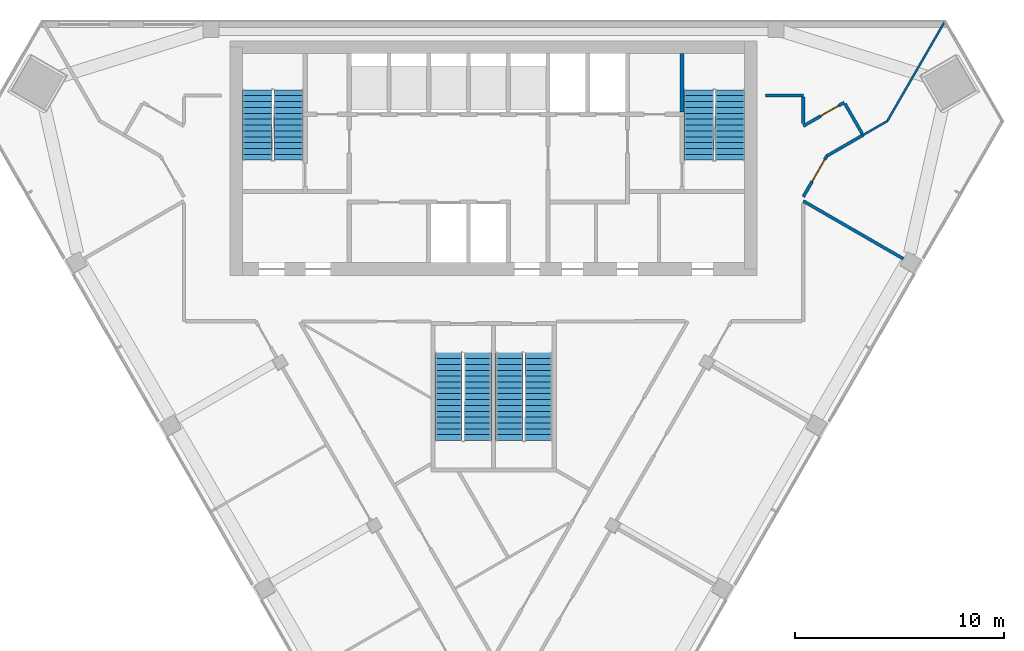
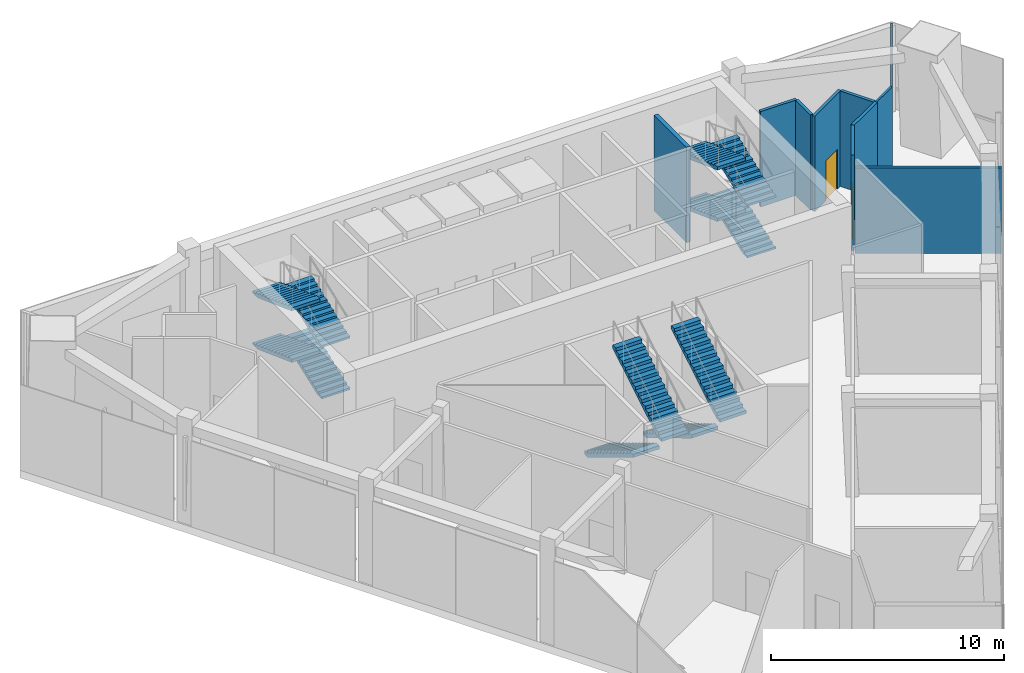
# One storey, part 8 of 10: 12 stair flights, 10 walls, 2 doors, 2 openings, 4 elements without a shape of their own.
"""IFC4 building model written with IfcOpenShell, lengths in metres."""

from ifc_helpers import new_model, si_unit, direction, frame, frame_2d, origin, place, context, subcontext, project, spatial, polyline, rectangle, outline, extrude, material, layer, layer_set, type_object, element, fill, aggregate, save


model = new_model("IFC4")

# Units and contexts
model_context = context("Model", 3, precision=1e-05, world=origin(), true_north=direction((0.0, 1.0)))
body_context = subcontext(model_context, "Body", "Model", "MODEL_VIEW")
ifc_project = project(units=[si_unit("LENGTHUNIT", "METRE"), si_unit("AREAUNIT", "SQUARE_METRE"), si_unit("VOLUMEUNIT", "CUBIC_METRE"), si_unit("PLANEANGLEUNIT", "RADIAN"), si_unit("MASSUNIT", "GRAM", prefix="KILO")], contexts=[model_context])

# Site, building, storey
site_placement = place(None, origin())
site = spatial("IfcSite", under=ifc_project, at=site_placement, CompositionType="ELEMENT")
building_placement = place(site_placement, origin())
building = spatial("IfcBuilding", under=site, at=building_placement, Name="Altiplano Prism Tower", CompositionType="ELEMENT")
storey_placement = place(building_placement, frame((0.0, 0.0, 233.800048828125)))
storey = spatial("IfcBuildingStorey", under=building, at=storey_placement, Name="L60", CompositionType="ELEMENT", Elevation=233.800048828125)

# Walls
ifc_material_1 = material(Name="Plasterboard on steel stud", Category="steel")
ifc_layer_1 = layer(ifc_material_1, 0.10009765625)
ifc_layer_set_1 = layer_set([ifc_layer_1], Name="Plasterboard on steel stud")
wall_type_1 = type_object("IfcWallType", Name="Partition 100 wet", PredefinedType="PARTITIONING", material=ifc_layer_set_1)
wall_1_placement = place(storey_placement, frame((106.546875, 104.89990234375, 0.0), z_axis=(0.0, 0.0, 1.0), x_axis=(-0.500003569146, -0.866023343127, 0.0)))
element("IfcWall", 1, at=wall_1_placement, inside=storey, type_object=wall_type_1, Name="Partition P03 L60 037", PredefinedType="PARTITIONING", context=body_context, shape_type="SweptSolid", body=[
    extrude(rectangle(XDim=5.462890625, YDim=0.10009765625, at=frame_2d((2.7314453125, 0.0))), origin(), (0.0, 0.0, 1.0), 4.5),
])
wall_2_placement = place(storey_placement, frame((103.8154296875, 100.1689453125, 0.0), z_axis=(0.0, 0.0, 1.0), x_axis=(-0.865988023682, -0.500064738649, 0.0)))
element("IfcWall", 2, at=wall_2_placement, inside=storey, type_object=wall_type_1, Name="Partition P03 L60 038", PredefinedType="PARTITIONING", context=body_context, shape_type="SweptSolid", body=[
    extrude(rectangle(XDim=1.337646484375, YDim=0.10009765625, at=frame_2d((0.6689453125, 0.0))), origin(), (0.0, 0.0, 1.0), 5.0),
])

# Wall, opening, door
ifc_layer_2 = layer(ifc_material_1, 0.14990234375)
ifc_layer_set_2 = layer_set([ifc_layer_2], Name="Plasterboard on steel stud")
wall_type_2 = type_object("IfcWallType", Name="Partition 150 corridor", PredefinedType="PARTITIONING", material=ifc_layer_set_2)
wall_3_placement = place(storey_placement, frame((99.800048828125, 96.5517578125, 0.0), z_axis=(0.0, 0.0, 1.0), x_axis=(0.499979232204, 0.866037393745, 0.0)))
wall_3 = element("IfcWall", 3, at=wall_3_placement, inside=storey, type_object=wall_type_2, Name="Partition P06 L60 010", PredefinedType="PARTITIONING", context=body_context, shape_type="SweptSolid", body=[
    extrude(rectangle(XDim=2.24951171875, YDim=0.14990234375, at=frame_2d((1.124755859375, 0.0))), origin(), (0.0, 0.0, 1.0), 5.0),
])
opening_1_placement = place(wall_3_placement, frame((0.85009765625, 0.0, 0.0)))
opening_1 = element("IfcOpeningElement", 4, at=opening_1_placement, cuts=wall_3, Name="Opening D1984", PredefinedType="OPENING", context=body_context, shape_type="SweptSolid", body=[
    extrude(rectangle(XDim=1.199951171875, YDim=2.10009765625, at=frame_2d((0.60009765625, 1.050048828125))), frame((0.0, 0.08544921875, 0.0), z_axis=(0.0, -1.0, 0.0), x_axis=(1.0, 0.0, 0.0)), (0.0, 0.0, 1.0), 0.1708984375),
])
ifc_material_2 = material(Name="Timber", Category="wood")
door_type_1 = type_object("IfcDoorType", Name="Shared room door 1200 x 2100", OperationType="NOTDEFINED", PredefinedType="NOTDEFINED", material=ifc_material_2)
door_1_placement = place(opening_1_placement, origin())
door_1 = element("IfcDoor", 5, at=door_1_placement, inside=storey, type_object=door_type_1, Name="Door D1984", OperationType="SINGLE_SWING_LEFT", OverallHeight=2.10009765625, OverallWidth=1.199951171875, PredefinedType="NOTDEFINED", context=body_context, shape_type="SweptSolid", body=[
    extrude(rectangle(XDim=1.199951171875, YDim=2.10009765625, at=frame_2d((0.60009765625, 1.050048828125))), frame((0.0, 0.02490234375, 0.0), z_axis=(0.0, -1.0, 0.0), x_axis=(1.0, 0.0, 0.0)), (0.0, 0.0, 1.0), 0.050048828125),
])
fill(opening_1, door_1)

# Walls
wall_4_placement = place(storey_placement, frame((100.9248046875, 98.5, 0.0), z_axis=(0.0, 0.0, 1.0), x_axis=(0.866040685659, 0.499973530083, 0.0)))
element("IfcWall", 6, at=wall_4_placement, inside=storey, type_object=wall_type_2, Name="Partition P06 L60 011", PredefinedType="PARTITIONING", context=body_context, shape_type="SweptSolid", body=[
    extrude(rectangle(XDim=2.02001953125, YDim=0.14990234375, at=frame_2d((1.010009765625, 0.0))), origin(), (0.0, 0.0, 1.0), 5.0),
])
wall_5_placement = place(storey_placement, frame((102.619384765625, 99.56494140625, 0.0), z_axis=(0.0, 0.0, 1.0), x_axis=(-0.499974350878, 0.866040211805, 0.0)))
element("IfcWall", 7, at=wall_5_placement, inside=storey, type_object=wall_type_2, Name="Partition P06 L60 016", PredefinedType="PARTITIONING", context=body_context, shape_type="SweptSolid", body=[
    extrude(rectangle(XDim=1.64990234375, YDim=0.14990234375, at=frame_2d((0.824951171875, 0.0))), origin(), (0.0, 0.0, 1.0), 5.0),
])

# Wall, opening, door
wall_6_placement = place(storey_placement, frame((101.7568359375, 101.058837890625, 0.0), z_axis=(0.0, 0.0, 1.0), x_axis=(-0.866000250934, -0.500043563484, 0.0)))
wall_6 = element("IfcWall", 8, at=wall_6_placement, inside=storey, type_object=wall_type_2, Name="Partition P06 L60 017", PredefinedType="PARTITIONING", context=body_context, shape_type="SweptSolid", body=[
    extrude(rectangle(XDim=2.259521484375, YDim=0.14990234375, at=frame_2d((1.1298828125, 0.0))), origin(), (0.0, 0.0, 1.0), 5.0),
])
opening_2_placement = place(wall_6_placement, frame((0.2919921875, 0.0, 0.0)))
opening_2 = element("IfcOpeningElement", 9, at=opening_2_placement, cuts=wall_6, Name="Opening D1986", PredefinedType="OPENING", context=body_context, shape_type="SweptSolid", body=[
    extrude(rectangle(XDim=1.0, YDim=2.10009765625, at=frame_2d((0.5, 1.050048828125))), frame((0.0, 0.08544921875, 0.0), z_axis=(0.0, -1.0, 0.0), x_axis=(1.0, 0.0, 0.0)), (0.0, 0.0, 1.0), 0.1708984375),
])
door_type_2 = type_object("IfcDoorType", Name="Room door 1000 x 2100", OperationType="NOTDEFINED", PredefinedType="NOTDEFINED", material=ifc_material_2)
door_2_placement = place(opening_2_placement, origin())
door_2 = element("IfcDoor", 10, at=door_2_placement, inside=storey, type_object=door_type_2, Name="Door D1986", OperationType="SINGLE_SWING_RIGHT", OverallHeight=2.10009765625, OverallWidth=1.0, PredefinedType="NOTDEFINED", context=body_context, shape_type="SweptSolid", body=[
    extrude(rectangle(XDim=1.0, YDim=2.10009765625, at=frame_2d((0.5, 1.050048828125))), frame((0.0, 0.02490234375, 0.0), z_axis=(0.0, -1.0, 0.0), x_axis=(1.0, 0.0, 0.0)), (0.0, 0.0, 1.0), 0.050048828125),
])
fill(opening_2, door_2)

# Walls
wall_7_placement = place(storey_placement, frame((99.800048828125, 100.058837890625, 0.0), z_axis=(0.0, 0.0, 1.0), x_axis=(0.0, 1.0, 0.0)))
element("IfcWall", 11, at=wall_7_placement, inside=storey, type_object=wall_type_2, Name="Partition P06 L60 018", PredefinedType="PARTITIONING", context=body_context, shape_type="SweptSolid", body=[
    extrude(rectangle(XDim=1.26611328125, YDim=0.14990234375, at=frame_2d((0.633056640625, 0.0))), origin(), (0.0, 0.0, 1.0), 5.0),
])
wall_8_placement = place(storey_placement, frame((99.800048828125, 101.39990234375, 0.0), z_axis=(0.0, 0.0, 1.0), x_axis=(-1.0, 0.0, 0.0)))
element("IfcWall", 12, at=wall_8_placement, inside=storey, type_object=wall_type_2, Name="Partition P06 L60 019", PredefinedType="PARTITIONING", context=body_context, shape_type="SweptSolid", body=[
    extrude(rectangle(XDim=1.800048828125, YDim=0.14990234375, at=frame_2d((0.89990234375, 0.0))), origin(), (0.0, 0.0, 1.0), 5.0),
])
ifc_layer_3 = layer(ifc_material_1, 0.14990234375)
ifc_layer_set_3 = layer_set([ifc_layer_3], Name="Plasterboard on steel stud")
wall_type_3 = type_object("IfcWallType", Name="Partition 150 party", PredefinedType="PARTITIONING", material=ifc_layer_set_3)
wall_9_placement = place(storey_placement, frame((105.2548828125, 93.199951171875, 0.0), z_axis=(0.0, 0.0, 1.0), x_axis=(-0.866020990722, 0.500007643571, 0.0)))
element("IfcWall", 13, at=wall_9_placement, inside=storey, type_object=wall_type_3, Name="Partition P01 L60 036", PredefinedType="PARTITIONING", context=body_context, shape_type="SweptSolid", body=[
    extrude(rectangle(XDim=6.298828125, YDim=0.14990234375, at=frame_2d((3.1494140625, 0.0))), origin(), (0.0, 0.0, 1.0), 4.5),
])
ifc_material_3 = material(Name="Concrete C60/75", Category="concrete")
ifc_layer_4 = layer(ifc_material_3, 0.199951171875)
ifc_layer_set_4 = layer_set([ifc_layer_4], Name="Concrete C60/75")
wall_type_4 = type_object("IfcWallType", Name="Stair wall 200", PredefinedType="SOLIDWALL", material=ifc_layer_set_4)
wall_10_placement = place(storey_placement, frame((94.0, 100.60009765625, 0.0), z_axis=(0.0, 0.0, 1.0), x_axis=(0.0, 1.0, 0.0)))
element("IfcWall", 14, at=wall_10_placement, inside=storey, type_object=wall_type_4, Name="Stair wall L60", PredefinedType="SOLIDWALL", context=body_context, shape_type="SweptSolid", body=[
    extrude(rectangle(XDim=2.7998046875, YDim=0.199951171875, at=frame_2d((1.39990234375, 0.0))), origin(), (0.0, 0.0, 1.0), 5.0),
])

# Stair, stair flights
ifc_material_4 = material(Name="Concrete C40/50", Category="concrete")
stair_type_1 = type_object("IfcStairType", Name="Exit stair 1400", PredefinedType="HALF_TURN_STAIR", material=ifc_material_4)
stair_1_placement = place(storey_placement, origin())
stair_1 = element("IfcStair", 15, at=stair_1_placement, inside=storey, type_object=stair_type_1, Name="L60 Exit Stair 1", PredefinedType="HALF_TURN_STAIR")
stair_flight_type = type_object("IfcStairFlightType", Name="Stair flight concrete 150", PredefinedType="STRAIGHT", material=ifc_material_4)
stair_flight_1_placement = place(storey_placement, frame((75.199951171875, 98.300048828125, 0.0), z_axis=(0.0, 0.0, 1.0), x_axis=(0.0, 1.0, 0.0)))
stair_flight_1 = element("IfcStairFlight", 16, at=stair_flight_1_placement, type_object=stair_flight_type, Name="ST1 flight 1", NumberOfRisers=13, NumberOfTreads=12, PredefinedType="STRAIGHT", RiserHeight=0.103846154, TreadLength=0.28, context=body_context, shape_type="SweptSolid", body=[
    extrude(outline(polyline([(0.0, 0.0), (0.0, 0.103759765625), (0.280029296875, 0.103759765625), (0.280029296875, 0.207763671875), (0.56005859375, 0.207763671875), (0.56005859375, 0.3115234375), (0.840087890625, 0.3115234375), (0.840087890625, 0.415283203125), (1.1201171875, 0.415283203125), (1.1201171875, 0.519287109375), (1.39990234375, 0.519287109375), (1.39990234375, 0.623046875), (1.679931640625, 0.623046875), (1.679931640625, 0.726806640625), (1.9599609375, 0.726806640625), (1.9599609375, 0.830810546875), (2.239990234375, 0.830810546875), (2.239990234375, 0.9345703125), (2.52001953125, 0.9345703125), (2.52001953125, 1.03857421875), (2.800048828125, 1.03857421875), (2.800048828125, 1.142333984375), (3.080078125, 1.142333984375), (3.080078125, 1.24609375), (3.360107421875, 1.24609375), (3.360107421875, 1.35009765625), (3.360107421875, 1.086181640625), (0.43115234375, 0.0), (0.0, 0.0)])), frame((0.0, 0.699951171875, 0.0), z_axis=(0.0, -1.0, 0.0), x_axis=(1.0, 0.0, 0.0)), (0.0, 0.0, 1.0), 1.39990234375),
])
stair_flight_2_placement = place(storey_placement, frame((73.699951171875, 101.659912109375, 1.349853515625), z_axis=(0.0, 0.0, 1.0), x_axis=(0.0, -1.0, 0.0)))
stair_flight_2 = element("IfcStairFlight", 17, at=stair_flight_2_placement, type_object=stair_flight_type, Name="ST1 flight 2", NumberOfRisers=13, NumberOfTreads=12, PredefinedType="STRAIGHT", RiserHeight=0.103846154, TreadLength=0.28, context=body_context, shape_type="SweptSolid", body=[
    extrude(outline(polyline([(0.0, 0.0), (0.0, 0.103759765625), (0.280029296875, 0.103759765625), (0.280029296875, 0.207763671875), (0.56005859375, 0.207763671875), (0.56005859375, 0.3115234375), (0.840087890625, 0.3115234375), (0.840087890625, 0.415283203125), (1.1201171875, 0.415283203125), (1.1201171875, 0.519287109375), (1.39990234375, 0.519287109375), (1.39990234375, 0.623046875), (1.679931640625, 0.623046875), (1.679931640625, 0.726806640625), (1.9599609375, 0.726806640625), (1.9599609375, 0.830810546875), (2.239990234375, 0.830810546875), (2.239990234375, 0.9345703125), (2.52001953125, 0.9345703125), (2.52001953125, 1.03857421875), (2.800048828125, 1.03857421875), (2.800048828125, 1.142333984375), (3.080078125, 1.142333984375), (3.080078125, 1.24609375), (3.360107421875, 1.24609375), (3.360107421875, 1.35009765625), (3.360107421875, 1.086181640625), (0.43115234375, 0.0), (0.0, 0.0)])), frame((0.0, 0.699951171875, 0.0), z_axis=(0.0, -1.0, 0.0), x_axis=(1.0, 0.0, 0.0)), (0.0, 0.0, 1.0), 1.39990234375),
])
stair_flight_3_placement = place(storey_placement, frame((75.199951171875, 98.300048828125, 2.699951171875), z_axis=(0.0, 0.0, 1.0), x_axis=(0.0, 1.0, 0.0)))
stair_flight_3 = element("IfcStairFlight", 18, at=stair_flight_3_placement, type_object=stair_flight_type, Name="ST1 flight 3", NumberOfRisers=13, NumberOfTreads=12, PredefinedType="STRAIGHT", RiserHeight=0.103846154, TreadLength=0.28, context=body_context, shape_type="SweptSolid", body=[
    extrude(outline(polyline([(0.0, 0.0), (0.0, 0.103759765625), (0.280029296875, 0.103759765625), (0.280029296875, 0.207763671875), (0.56005859375, 0.207763671875), (0.56005859375, 0.3115234375), (0.840087890625, 0.3115234375), (0.840087890625, 0.415283203125), (1.1201171875, 0.415283203125), (1.1201171875, 0.519287109375), (1.39990234375, 0.519287109375), (1.39990234375, 0.623046875), (1.679931640625, 0.623046875), (1.679931640625, 0.726806640625), (1.9599609375, 0.726806640625), (1.9599609375, 0.830810546875), (2.239990234375, 0.830810546875), (2.239990234375, 0.9345703125), (2.52001953125, 0.9345703125), (2.52001953125, 1.03857421875), (2.800048828125, 1.03857421875), (2.800048828125, 1.142333984375), (3.080078125, 1.142333984375), (3.080078125, 1.24609375), (3.360107421875, 1.24609375), (3.360107421875, 1.35009765625), (3.360107421875, 1.086181640625), (0.43115234375, 0.0), (0.0, 0.0)])), frame((0.0, 0.699951171875, 0.0), z_axis=(0.0, -1.0, 0.0), x_axis=(1.0, 0.0, 0.0)), (0.0, 0.0, 1.0), 1.39990234375),
])
stair_flight_4_placement = place(storey_placement, frame((73.699951171875, 101.659912109375, 4.050048828125), z_axis=(0.0, 0.0, 1.0), x_axis=(0.0, -1.0, 0.0)))
stair_flight_4 = element("IfcStairFlight", 19, at=stair_flight_4_placement, type_object=stair_flight_type, Name="ST1 flight 4", NumberOfRisers=13, NumberOfTreads=12, PredefinedType="STRAIGHT", RiserHeight=0.103846154, TreadLength=0.28, context=body_context, shape_type="SweptSolid", body=[
    extrude(outline(polyline([(0.0, 0.0), (0.0, 0.103759765625), (0.280029296875, 0.103759765625), (0.280029296875, 0.207763671875), (0.56005859375, 0.207763671875), (0.56005859375, 0.3115234375), (0.840087890625, 0.3115234375), (0.840087890625, 0.415283203125), (1.1201171875, 0.415283203125), (1.1201171875, 0.519287109375), (1.39990234375, 0.519287109375), (1.39990234375, 0.623046875), (1.679931640625, 0.623046875), (1.679931640625, 0.726806640625), (1.9599609375, 0.726806640625), (1.9599609375, 0.830810546875), (2.239990234375, 0.830810546875), (2.239990234375, 0.9345703125), (2.52001953125, 0.9345703125), (2.52001953125, 1.03857421875), (2.800048828125, 1.03857421875), (2.800048828125, 1.142333984375), (3.080078125, 1.142333984375), (3.080078125, 1.24609375), (3.360107421875, 1.24609375), (3.360107421875, 1.35009765625), (3.360107421875, 1.086181640625), (0.43115234375, 0.0), (0.0, 0.0)])), frame((0.0, 0.699951171875, 0.0), z_axis=(0.0, -1.0, 0.0), x_axis=(1.0, 0.0, 0.0)), (0.0, 0.0, 1.0), 1.39990234375),
])
aggregate(stair_1, [stair_flight_1, stair_flight_2, stair_flight_3, stair_flight_4])

stair_2_placement = place(storey_placement, origin())
stair_2 = element("IfcStair", 20, at=stair_2_placement, inside=storey, type_object=stair_type_1, Name="L60 Exit Stair 2", PredefinedType="HALF_TURN_STAIR")
stair_flight_5_placement = place(storey_placement, frame((96.300048828125, 98.300048828125, 0.0), z_axis=(0.0, 0.0, 1.0), x_axis=(0.0, 1.0, 0.0)))
stair_flight_5 = element("IfcStairFlight", 21, at=stair_flight_5_placement, type_object=stair_flight_type, Name="ST2 flight 1", NumberOfRisers=13, NumberOfTreads=12, PredefinedType="STRAIGHT", RiserHeight=0.103846154, TreadLength=0.28, context=body_context, shape_type="SweptSolid", body=[
    extrude(outline(polyline([(0.0, 0.0), (0.0, 0.103759765625), (0.280029296875, 0.103759765625), (0.280029296875, 0.207763671875), (0.56005859375, 0.207763671875), (0.56005859375, 0.3115234375), (0.840087890625, 0.3115234375), (0.840087890625, 0.415283203125), (1.1201171875, 0.415283203125), (1.1201171875, 0.519287109375), (1.39990234375, 0.519287109375), (1.39990234375, 0.623046875), (1.679931640625, 0.623046875), (1.679931640625, 0.726806640625), (1.9599609375, 0.726806640625), (1.9599609375, 0.830810546875), (2.239990234375, 0.830810546875), (2.239990234375, 0.9345703125), (2.52001953125, 0.9345703125), (2.52001953125, 1.03857421875), (2.800048828125, 1.03857421875), (2.800048828125, 1.142333984375), (3.080078125, 1.142333984375), (3.080078125, 1.24609375), (3.360107421875, 1.24609375), (3.360107421875, 1.35009765625), (3.360107421875, 1.086181640625), (0.43115234375, 0.0), (0.0, 0.0)])), frame((0.0, 0.699951171875, 0.0), z_axis=(0.0, -1.0, 0.0), x_axis=(1.0, 0.0, 0.0)), (0.0, 0.0, 1.0), 1.39990234375),
])
stair_flight_6_placement = place(storey_placement, frame((94.800048828125, 101.659912109375, 1.349853515625), z_axis=(0.0, 0.0, 1.0), x_axis=(0.0, -1.0, 0.0)))
stair_flight_6 = element("IfcStairFlight", 22, at=stair_flight_6_placement, type_object=stair_flight_type, Name="ST2 flight 2", NumberOfRisers=13, NumberOfTreads=12, PredefinedType="STRAIGHT", RiserHeight=0.103846154, TreadLength=0.28, context=body_context, shape_type="SweptSolid", body=[
    extrude(outline(polyline([(0.0, 0.0), (0.0, 0.103759765625), (0.280029296875, 0.103759765625), (0.280029296875, 0.207763671875), (0.56005859375, 0.207763671875), (0.56005859375, 0.3115234375), (0.840087890625, 0.3115234375), (0.840087890625, 0.415283203125), (1.1201171875, 0.415283203125), (1.1201171875, 0.519287109375), (1.39990234375, 0.519287109375), (1.39990234375, 0.623046875), (1.679931640625, 0.623046875), (1.679931640625, 0.726806640625), (1.9599609375, 0.726806640625), (1.9599609375, 0.830810546875), (2.239990234375, 0.830810546875), (2.239990234375, 0.9345703125), (2.52001953125, 0.9345703125), (2.52001953125, 1.03857421875), (2.800048828125, 1.03857421875), (2.800048828125, 1.142333984375), (3.080078125, 1.142333984375), (3.080078125, 1.24609375), (3.360107421875, 1.24609375), (3.360107421875, 1.35009765625), (3.360107421875, 1.086181640625), (0.43115234375, 0.0), (0.0, 0.0)])), frame((0.0, 0.699951171875, 0.0), z_axis=(0.0, -1.0, 0.0), x_axis=(1.0, 0.0, 0.0)), (0.0, 0.0, 1.0), 1.39990234375),
])
stair_flight_7_placement = place(storey_placement, frame((96.300048828125, 98.300048828125, 2.699951171875), z_axis=(0.0, 0.0, 1.0), x_axis=(0.0, 1.0, 0.0)))
stair_flight_7 = element("IfcStairFlight", 23, at=stair_flight_7_placement, type_object=stair_flight_type, Name="ST2 flight 3", NumberOfRisers=13, NumberOfTreads=12, PredefinedType="STRAIGHT", RiserHeight=0.103846154, TreadLength=0.28, context=body_context, shape_type="SweptSolid", body=[
    extrude(outline(polyline([(0.0, 0.0), (0.0, 0.103759765625), (0.280029296875, 0.103759765625), (0.280029296875, 0.207763671875), (0.56005859375, 0.207763671875), (0.56005859375, 0.3115234375), (0.840087890625, 0.3115234375), (0.840087890625, 0.415283203125), (1.1201171875, 0.415283203125), (1.1201171875, 0.519287109375), (1.39990234375, 0.519287109375), (1.39990234375, 0.623046875), (1.679931640625, 0.623046875), (1.679931640625, 0.726806640625), (1.9599609375, 0.726806640625), (1.9599609375, 0.830810546875), (2.239990234375, 0.830810546875), (2.239990234375, 0.9345703125), (2.52001953125, 0.9345703125), (2.52001953125, 1.03857421875), (2.800048828125, 1.03857421875), (2.800048828125, 1.142333984375), (3.080078125, 1.142333984375), (3.080078125, 1.24609375), (3.360107421875, 1.24609375), (3.360107421875, 1.35009765625), (3.360107421875, 1.086181640625), (0.43115234375, 0.0), (0.0, 0.0)])), frame((0.0, 0.699951171875, 0.0), z_axis=(0.0, -1.0, 0.0), x_axis=(1.0, 0.0, 0.0)), (0.0, 0.0, 1.0), 1.39990234375),
])
stair_flight_8_placement = place(storey_placement, frame((94.800048828125, 101.659912109375, 4.050048828125), z_axis=(0.0, 0.0, 1.0), x_axis=(0.0, -1.0, 0.0)))
stair_flight_8 = element("IfcStairFlight", 24, at=stair_flight_8_placement, type_object=stair_flight_type, Name="ST2 flight 4", NumberOfRisers=13, NumberOfTreads=12, PredefinedType="STRAIGHT", RiserHeight=0.103846154, TreadLength=0.28, context=body_context, shape_type="SweptSolid", body=[
    extrude(outline(polyline([(0.0, 0.0), (0.0, 0.103759765625), (0.280029296875, 0.103759765625), (0.280029296875, 0.207763671875), (0.56005859375, 0.207763671875), (0.56005859375, 0.3115234375), (0.840087890625, 0.3115234375), (0.840087890625, 0.415283203125), (1.1201171875, 0.415283203125), (1.1201171875, 0.519287109375), (1.39990234375, 0.519287109375), (1.39990234375, 0.623046875), (1.679931640625, 0.623046875), (1.679931640625, 0.726806640625), (1.9599609375, 0.726806640625), (1.9599609375, 0.830810546875), (2.239990234375, 0.830810546875), (2.239990234375, 0.9345703125), (2.52001953125, 0.9345703125), (2.52001953125, 1.03857421875), (2.800048828125, 1.03857421875), (2.800048828125, 1.142333984375), (3.080078125, 1.142333984375), (3.080078125, 1.24609375), (3.360107421875, 1.24609375), (3.360107421875, 1.35009765625), (3.360107421875, 1.086181640625), (0.43115234375, 0.0), (0.0, 0.0)])), frame((0.0, 0.699951171875, 0.0), z_axis=(0.0, -1.0, 0.0), x_axis=(1.0, 0.0, 0.0)), (0.0, 0.0, 1.0), 1.39990234375),
])
aggregate(stair_2, [stair_flight_5, stair_flight_6, stair_flight_7, stair_flight_8])

stair_type_2 = type_object("IfcStairType", Name="Exit stair 1300", PredefinedType="HALF_TURN_STAIR", material=ifc_material_4)
stair_3_placement = place(storey_placement, origin())
stair_3 = element("IfcStair", 25, at=stair_3_placement, inside=storey, type_object=stair_type_2, Name="L60 Exit Stair 3A", PredefinedType="HALF_TURN_STAIR")
stair_flight_9_placement = place(storey_placement, frame((82.85009765625, 89.10009765625, 0.0), z_axis=(0.0, 0.0, 1.0), x_axis=(0.0, -1.0, 0.0)))
stair_flight_9 = element("IfcStairFlight", 26, at=stair_flight_9_placement, type_object=stair_flight_type, Name="ST3A flight 1", NumberOfRisers=16, NumberOfTreads=15, PredefinedType="STRAIGHT", RiserHeight=0.16875, TreadLength=0.28, context=body_context, shape_type="SweptSolid", body=[
    extrude(outline(polyline([(0.0, 0.0), (0.0, 0.168701171875), (0.280029296875, 0.168701171875), (0.280029296875, 0.33740234375), (0.56005859375, 0.33740234375), (0.56005859375, 0.50634765625), (0.840087890625, 0.50634765625), (0.840087890625, 0.675048828125), (1.1201171875, 0.675048828125), (1.1201171875, 0.84375), (1.39990234375, 0.84375), (1.39990234375, 1.012451171875), (1.679931640625, 1.012451171875), (1.679931640625, 1.18115234375), (1.9599609375, 1.18115234375), (1.9599609375, 1.35009765625), (2.239990234375, 1.35009765625), (2.239990234375, 1.518798828125), (2.52001953125, 1.518798828125), (2.52001953125, 1.6875), (2.800048828125, 1.6875), (2.800048828125, 1.856201171875), (3.080078125, 1.856201171875), (3.080078125, 2.02490234375), (3.360107421875, 2.02490234375), (3.360107421875, 2.19384765625), (3.639892578125, 2.19384765625), (3.639892578125, 2.362548828125), (3.919921875, 2.362548828125), (3.919921875, 2.53125), (4.199951171875, 2.53125), (4.199951171875, 2.699951171875), (4.199951171875, 2.356201171875), (0.29052734375, 0.0), (0.0, 0.0)])), frame((0.0, 0.64990234375, 0.0), z_axis=(0.0, -1.0, 0.0), x_axis=(1.0, 0.0, 0.0)), (0.0, 0.0, 1.0), 1.300048828125),
])
stair_flight_10_placement = place(storey_placement, frame((84.25, 84.89990234375, 2.699951171875), z_axis=(0.0, 0.0, 1.0), x_axis=(0.0, 1.0, 0.0)))
stair_flight_10 = element("IfcStairFlight", 27, at=stair_flight_10_placement, type_object=stair_flight_type, Name="ST3A flight 2", NumberOfRisers=16, NumberOfTreads=15, PredefinedType="STRAIGHT", RiserHeight=0.16875, TreadLength=0.28, context=body_context, shape_type="SweptSolid", body=[
    extrude(outline(polyline([(0.0, 0.0), (0.0, 0.168701171875), (0.280029296875, 0.168701171875), (0.280029296875, 0.33740234375), (0.56005859375, 0.33740234375), (0.56005859375, 0.50634765625), (0.840087890625, 0.50634765625), (0.840087890625, 0.675048828125), (1.1201171875, 0.675048828125), (1.1201171875, 0.84375), (1.39990234375, 0.84375), (1.39990234375, 1.012451171875), (1.679931640625, 1.012451171875), (1.679931640625, 1.18115234375), (1.9599609375, 1.18115234375), (1.9599609375, 1.35009765625), (2.239990234375, 1.35009765625), (2.239990234375, 1.518798828125), (2.52001953125, 1.518798828125), (2.52001953125, 1.6875), (2.800048828125, 1.6875), (2.800048828125, 1.856201171875), (3.080078125, 1.856201171875), (3.080078125, 2.02490234375), (3.360107421875, 2.02490234375), (3.360107421875, 2.19384765625), (3.639892578125, 2.19384765625), (3.639892578125, 2.362548828125), (3.919921875, 2.362548828125), (3.919921875, 2.53125), (4.199951171875, 2.53125), (4.199951171875, 2.699951171875), (4.199951171875, 2.356201171875), (0.29052734375, 0.0), (0.0, 0.0)])), frame((0.0, 0.64990234375, 0.0), z_axis=(0.0, -1.0, 0.0), x_axis=(1.0, 0.0, 0.0)), (0.0, 0.0, 1.0), 1.300048828125),
])
aggregate(stair_3, [stair_flight_9, stair_flight_10])

stair_4_placement = place(storey_placement, origin())
stair_4 = element("IfcStair", 28, at=stair_4_placement, inside=storey, type_object=stair_type_2, Name="L60 Exit Stair 3B", PredefinedType="HALF_TURN_STAIR")
stair_flight_11_placement = place(storey_placement, frame((85.75, 89.10009765625, 0.0), z_axis=(0.0, 0.0, 1.0), x_axis=(0.0, -1.0, 0.0)))
stair_flight_11 = element("IfcStairFlight", 29, at=stair_flight_11_placement, type_object=stair_flight_type, Name="ST3B flight 1", NumberOfRisers=16, NumberOfTreads=15, PredefinedType="STRAIGHT", RiserHeight=0.16875, TreadLength=0.28, context=body_context, shape_type="SweptSolid", body=[
    extrude(outline(polyline([(0.0, 0.0), (0.0, 0.168701171875), (0.280029296875, 0.168701171875), (0.280029296875, 0.33740234375), (0.56005859375, 0.33740234375), (0.56005859375, 0.50634765625), (0.840087890625, 0.50634765625), (0.840087890625, 0.675048828125), (1.1201171875, 0.675048828125), (1.1201171875, 0.84375), (1.39990234375, 0.84375), (1.39990234375, 1.012451171875), (1.679931640625, 1.012451171875), (1.679931640625, 1.18115234375), (1.9599609375, 1.18115234375), (1.9599609375, 1.35009765625), (2.239990234375, 1.35009765625), (2.239990234375, 1.518798828125), (2.52001953125, 1.518798828125), (2.52001953125, 1.6875), (2.800048828125, 1.6875), (2.800048828125, 1.856201171875), (3.080078125, 1.856201171875), (3.080078125, 2.02490234375), (3.360107421875, 2.02490234375), (3.360107421875, 2.19384765625), (3.639892578125, 2.19384765625), (3.639892578125, 2.362548828125), (3.919921875, 2.362548828125), (3.919921875, 2.53125), (4.199951171875, 2.53125), (4.199951171875, 2.699951171875), (4.199951171875, 2.356201171875), (0.29052734375, 0.0), (0.0, 0.0)])), frame((0.0, 0.64990234375, 0.0), z_axis=(0.0, -1.0, 0.0), x_axis=(1.0, 0.0, 0.0)), (0.0, 0.0, 1.0), 1.300048828125),
])
stair_flight_12_placement = place(storey_placement, frame((87.14990234375, 84.89990234375, 2.699951171875), z_axis=(0.0, 0.0, 1.0), x_axis=(0.0, 1.0, 0.0)))
stair_flight_12 = element("IfcStairFlight", 30, at=stair_flight_12_placement, type_object=stair_flight_type, Name="ST3B flight 2", NumberOfRisers=16, NumberOfTreads=15, PredefinedType="STRAIGHT", RiserHeight=0.16875, TreadLength=0.28, context=body_context, shape_type="SweptSolid", body=[
    extrude(outline(polyline([(0.0, 0.0), (0.0, 0.168701171875), (0.280029296875, 0.168701171875), (0.280029296875, 0.33740234375), (0.56005859375, 0.33740234375), (0.56005859375, 0.50634765625), (0.840087890625, 0.50634765625), (0.840087890625, 0.675048828125), (1.1201171875, 0.675048828125), (1.1201171875, 0.84375), (1.39990234375, 0.84375), (1.39990234375, 1.012451171875), (1.679931640625, 1.012451171875), (1.679931640625, 1.18115234375), (1.9599609375, 1.18115234375), (1.9599609375, 1.35009765625), (2.239990234375, 1.35009765625), (2.239990234375, 1.518798828125), (2.52001953125, 1.518798828125), (2.52001953125, 1.6875), (2.800048828125, 1.6875), (2.800048828125, 1.856201171875), (3.080078125, 1.856201171875), (3.080078125, 2.02490234375), (3.360107421875, 2.02490234375), (3.360107421875, 2.19384765625), (3.639892578125, 2.19384765625), (3.639892578125, 2.362548828125), (3.919921875, 2.362548828125), (3.919921875, 2.53125), (4.199951171875, 2.53125), (4.199951171875, 2.699951171875), (4.199951171875, 2.356201171875), (0.29052734375, 0.0), (0.0, 0.0)])), frame((0.0, 0.64990234375, 0.0), z_axis=(0.0, -1.0, 0.0), x_axis=(1.0, 0.0, 0.0)), (0.0, 0.0, 1.0), 1.300048828125),
])
aggregate(stair_4, [stair_flight_11, stair_flight_12])

save(model, "model.ifc")
